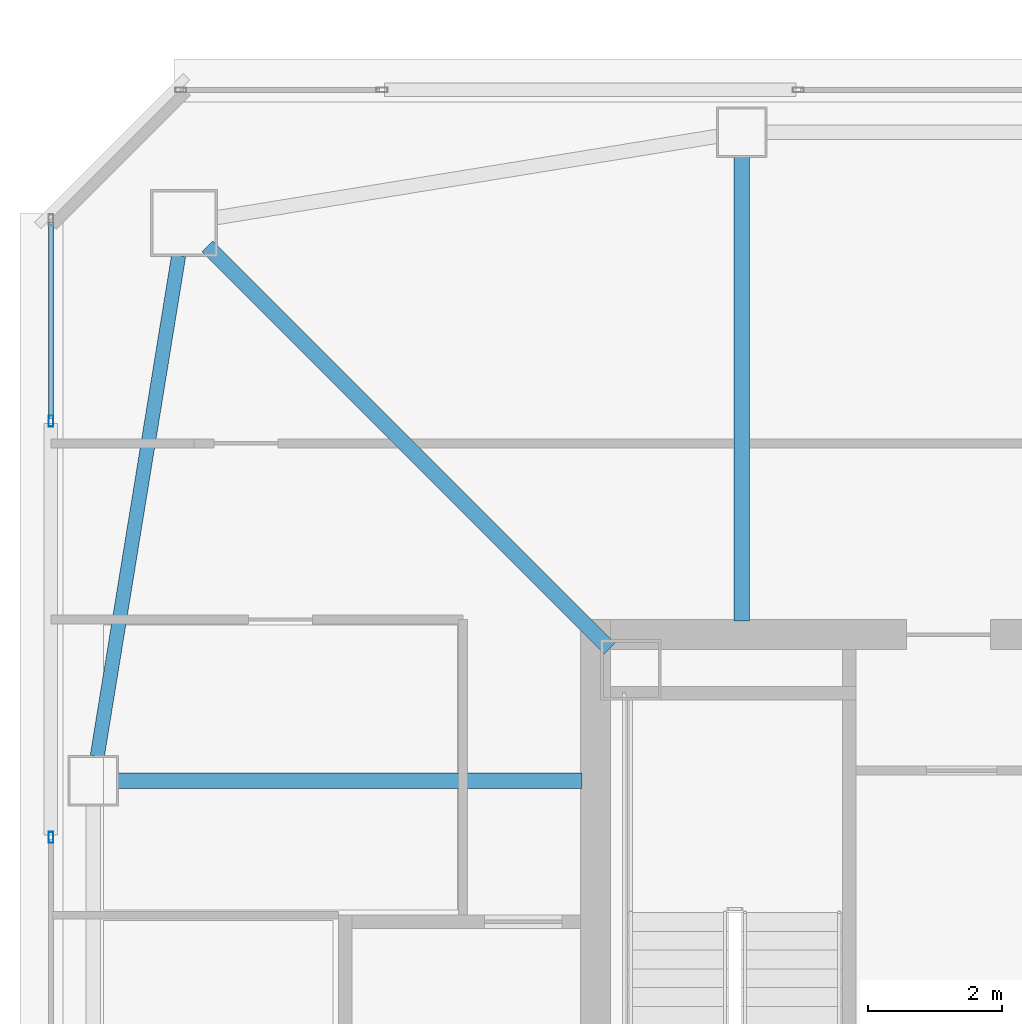
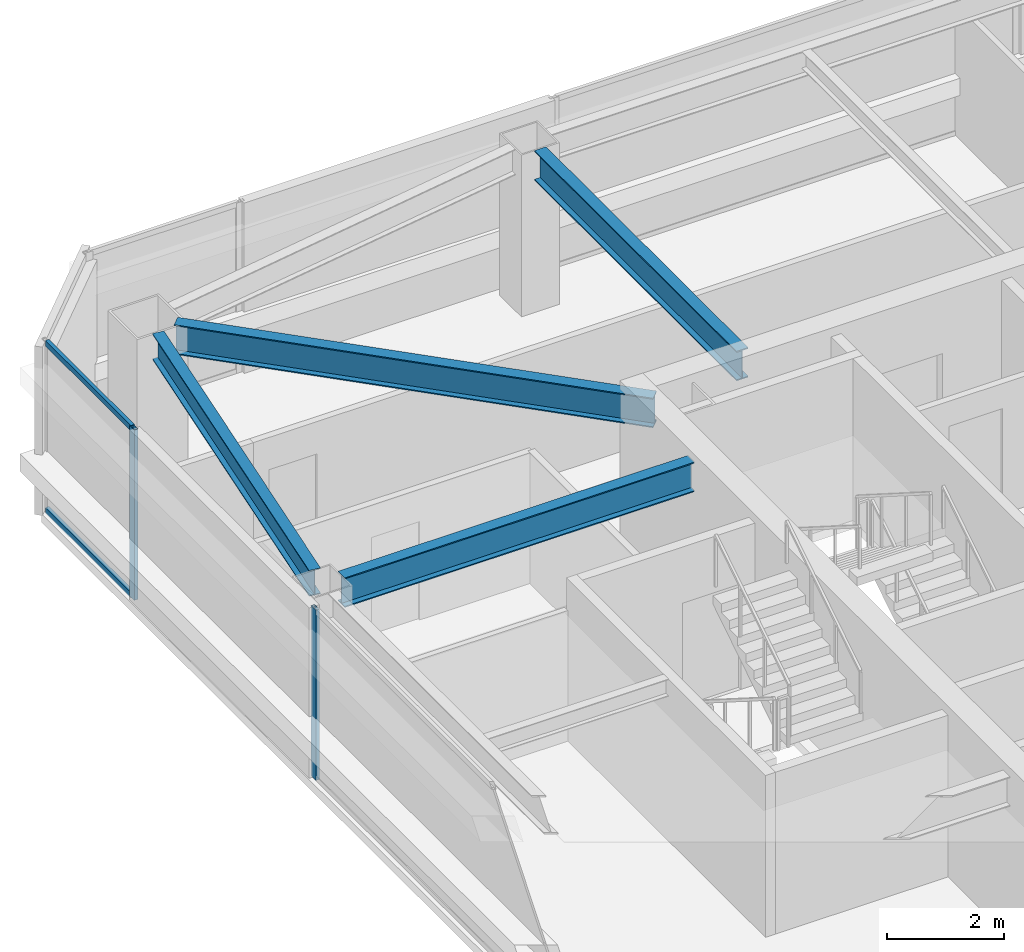
# One storey, part 9 of 36: 4 beams, 4 members, 2 elements without a shape of their own.
"""IFC4 building model written with IfcOpenShell, lengths in metres."""

import ifcopenshell
import ifcopenshell.guid

model = None  # the IFC model being written
_history = None  # IfcOwnerHistory: only IFC2X3 demands one
_inside = {}  # id of a spatial element -> (the spatial element, [elements in it])
_under = {}  # id of a project, library or spatial element -> (it, [spatial elements below it])
_declared = {}  # id of a project -> (the project, [libraries it declares])
_typed = {}  # id of a type object -> (the type object, [elements of that type])
_made_of = {}  # id of a material, layer set ... -> (it, [elements and type objects made of it])


def new_model(schema):
    """Start an empty IFC model of exactly this schema.

    Asked for "IFC4X3", IfcOpenShell would pick the latest addendum, in which some entities
    have other attributes; the version numbers below select the first issue.
    IFC2X3 requires an IfcOwnerHistory on every rooted entity: one is made here for all.
    """
    global model, _history
    if schema == "IFC4X3":
        model = ifcopenshell.file(schema_version=(4, 3, 0, 0))
    else:
        model = ifcopenshell.file(schema=schema)
    _inside.clear()
    _under.clear()
    _declared.clear()
    _typed.clear()
    _made_of.clear()
    _history = None
    if model.schema == "IFC2X3":
        org = make("IfcOrganization", Name="unknown")
        user = make(
            "IfcPersonAndOrganization",
            ThePerson=make("IfcPerson", FamilyName="unknown"),
            TheOrganization=org,
        )
        app = make(
            "IfcApplication",
            ApplicationDeveloper=org,
            Version="unknown",
            ApplicationFullName="unknown",
            ApplicationIdentifier="unknown",
        )
        _history = make(
            "IfcOwnerHistory",
            OwningUser=user,
            OwningApplication=app,
            ChangeAction="ADDED",
            CreationDate=0,
        )
    return model


def make(cls, **values):
    """One entity of the class cls with the attributes given. An attribute that is None is left unset."""
    return model.create_entity(
        cls, **{name: value for name, value in values.items() if value is not None}
    )


def rooted(cls, **values):
    """An entity with a GlobalId (a new one), such as an element, a storey or a relation."""
    return make(cls, GlobalId=ifcopenshell.guid.new(), OwnerHistory=_history, **values)


def si_unit(unit_type, name, prefix=None):
    """IfcSIUnit, for example si_unit("LENGTHUNIT", "METRE", prefix="MILLI")."""
    return make("IfcSIUnit", UnitType=unit_type, Prefix=prefix, Name=name)


def assignment(units):
    """IfcUnitAssignment: the units of a project."""
    return None if units is None else make("IfcUnitAssignment", Units=units)


def point(xyz):
    """IfcCartesianPoint."""
    return None if xyz is None else make("IfcCartesianPoint", Coordinates=xyz)


def direction(xyz):
    """IfcDirection."""
    return None if xyz is None else make("IfcDirection", DirectionRatios=xyz)


def frame(location, z_axis=None, x_axis=None):
    """IfcAxis2Placement3D, a coordinate frame: its origin and axes. An axis left out is left unset."""
    return make(
        "IfcAxis2Placement3D",
        Location=point(location),
        Axis=direction(z_axis),
        RefDirection=direction(x_axis),
    )


def frame_2d(location, x_axis=None):
    """IfcAxis2Placement2D, a coordinate frame in the plane: its origin and x axis."""
    return make(
        "IfcAxis2Placement2D", Location=point(location), RefDirection=direction(x_axis)
    )


def origin():
    """The frame at (0, 0, 0) with its axes left unset."""
    return frame((0.0, 0.0, 0.0))


def origin_2d():
    """The frame at (0, 0) in the plane with its x axis left unset."""
    return frame_2d((0.0, 0.0))


def place(relative_to, where):
    """IfcLocalPlacement: puts the frame where relative to a parent placement (None: the world)."""
    return make(
        "IfcLocalPlacement", PlacementRelTo=relative_to, RelativePlacement=where
    )


def context(
    kind, dimensions, precision=None, world=None, true_north=None, identifier=None
):
    """IfcGeometricRepresentationContext, for example the 3D "Model" context."""
    return make(
        "IfcGeometricRepresentationContext",
        ContextIdentifier=identifier,
        ContextType=kind,
        CoordinateSpaceDimension=dimensions,
        Precision=precision,
        WorldCoordinateSystem=world,
        TrueNorth=true_north,
    )


def subcontext(parent, identifier, kind, view, scale=None):
    """IfcGeometricRepresentationSubContext, for example "Body" below "Model"."""
    return make(
        "IfcGeometricRepresentationSubContext",
        ContextIdentifier=identifier,
        ContextType=kind,
        ParentContext=parent,
        TargetScale=scale,
        TargetView=view,
    )


def project(units=None, contexts=None):
    """IfcProject with its units and contexts."""
    return rooted(
        "IfcProject",
        Name="project",
        RepresentationContexts=contexts,
        UnitsInContext=assignment(units),
    )


def spatial(cls, under=None, at=None, **own):
    """A site, building, storey or space (cls), placed at a placement, below another one or the project."""
    s = rooted(cls, ObjectPlacement=at, **own)
    if under is not None:
        _under.setdefault(under.id(), (under, []))[1].append(s)
    return s


def profile(cls, at=None, kind="AREA", **sizes):
    """A parametric profile (cls). Its sizes go by their IFC names, for example OverallWidth=200.0."""
    return make(cls, ProfileType=kind, Position=at, **sizes)


def hollow_rectangle(**sizes):
    """IfcRectangleHollowProfileDef."""
    return profile("IfcRectangleHollowProfileDef", **sizes)


def i_section(**sizes):
    """IfcIShapeProfileDef."""
    return profile("IfcIShapeProfileDef", **sizes)


def extrude(swept, where, along, depth):
    """IfcExtrudedAreaSolid: the profile swept, set in the frame where, extruded along a direction by depth."""
    return make(
        "IfcExtrudedAreaSolid",
        SweptArea=swept,
        Position=where,
        ExtrudedDirection=direction(along),
        Depth=depth,
    )


def shape(context_of_items, identifier, shape_type, items):
    """IfcShapeRepresentation: the items that make up one representation, for example the "Body"."""
    return make(
        "IfcShapeRepresentation",
        ContextOfItems=context_of_items,
        RepresentationIdentifier=identifier,
        RepresentationType=shape_type,
        Items=items,
    )


def material(Name=None, Category=None):
    """IfcMaterial."""
    return make("IfcMaterial", Name=Name, Category=Category)


def material_profile(
    of_material, cross_section, Name=None, Category=None, Priority=None
):
    """IfcMaterialProfile: a cross section and its material."""
    return make(
        "IfcMaterialProfile",
        Name=Name,
        Material=of_material,
        Profile=cross_section,
        Priority=Priority,
        Category=Category,
    )


def profile_set(profiles, Name=None, composite=None):
    """IfcMaterialProfileSet."""
    return make(
        "IfcMaterialProfileSet",
        Name=Name,
        MaterialProfiles=profiles,
        CompositeProfile=composite,
    )


def made_of(thing, what):
    """Note that an element or type object is made of a material, layer set ...; save() writes the relation."""
    if what is not None:
        _made_of.setdefault(what.id(), (what, []))[1].append(thing)
    return thing


def type_object(cls, material=None, **own):
    """A type object (cls), such as IfcWallType, which elements share."""
    return made_of(rooted(cls, **own), material)


def element(
    cls,
    number,
    at=None,
    inside=None,
    cuts=None,
    type_object=None,
    material=None,
    context=None,
    identifier="Body",
    shape_type=None,
    held_by="IfcProductDefinitionShape",
    body=None,
    shapes=None,
    **own,
):
    """One element of the class cls, such as IfcWall. Its Tag is "e" and its number.

    at: its placement. inside: the storey or other place that contains it. cuts: it is an
    opening in that element (IfcRelVoidsElement). A single representation is given by context,
    identifier, shape_type and body (its items); several are given by shapes. held_by: the class
    of the entity that holds the representations. save() writes the other relations.
    """
    e = rooted(cls, Tag="e%d" % number, ObjectPlacement=at, **own)
    if body is not None:
        shapes = [shape(context, identifier, shape_type, body)]
    if shapes is not None:
        e.Representation = make(held_by, Representations=shapes)
    if inside is not None:
        _inside.setdefault(inside.id(), (inside, []))[1].append(e)
    if cuts is not None:
        rooted(
            "IfcRelVoidsElement", RelatingBuildingElement=cuts, RelatedOpeningElement=e
        )
    if type_object is not None:
        _typed.setdefault(type_object.id(), (type_object, []))[1].append(e)
    return made_of(e, material)


def aggregate(whole, parts):
    """IfcRelAggregates: a whole, such as a stair, and the parts it consists of."""
    return rooted("IfcRelAggregates", RelatingObject=whole, RelatedObjects=parts)


def save(model, path):
    """Write the relations noted so far, then the file.

    IfcRelAggregates (storeys below a building ...), IfcRelContainedInSpatialStructure (elements
    in a storey), IfcRelDefinesByType, IfcRelAssociatesMaterial and IfcRelDeclares: one each for
    every whole, place, type object, material and project.
    """
    for whole, parts in _under.values():
        aggregate(whole, parts)
    for where, things in _inside.values():
        rooted(
            "IfcRelContainedInSpatialStructure",
            RelatedElements=things,
            RelatingStructure=where,
        )
    for kind, things in _typed.values():
        rooted("IfcRelDefinesByType", RelatedObjects=things, RelatingType=kind)
    for what, things in _made_of.values():
        rooted("IfcRelAssociatesMaterial", RelatedObjects=things, RelatingMaterial=what)
    for by, libraries in _declared.values():
        rooted("IfcRelDeclares", RelatingContext=by, RelatedDefinitions=libraries)
    model.write(path)


model = new_model("IFC4")

# Units and contexts
model_context = context("Model", 3, precision=1e-05, world=origin(), true_north=direction((0.0, 1.0)))
body_context = subcontext(model_context, "Body", "Model", "MODEL_VIEW")
ifc_project = project(units=[si_unit("LENGTHUNIT", "METRE"), si_unit("AREAUNIT", "SQUARE_METRE"), si_unit("VOLUMEUNIT", "CUBIC_METRE"), si_unit("PLANEANGLEUNIT", "RADIAN"), si_unit("MASSUNIT", "GRAM", prefix="KILO")], contexts=[model_context])

# Site, building, storey
site_placement = place(None, origin())
site = spatial("IfcSite", under=ifc_project, at=site_placement, CompositionType="ELEMENT")
building_placement = place(site_placement, origin())
building = spatial("IfcBuilding", under=site, at=building_placement, Name="Tashvorn Skyway Center", CompositionType="ELEMENT")
storey_placement = place(building_placement, frame((0.0, 0.0, 236.14990234375)))
storey = spatial("IfcBuildingStorey", under=building, at=storey_placement, Name="L64", CompositionType="ELEMENT", Elevation=236.14990234375)

# Beams
ifc_material_1 = material(Name="Steel ASTM A992 Grade 50", Category="steel")
ifc_material_profile_1 = material_profile(ifc_material_1, i_section(OverallWidth=0.22998046875, OverallDepth=0.616943359375, WebThickness=0.01318359375, FlangeThickness=0.022216796875, at=origin_2d()), Name="W24X94")
ifc_profile_set_1 = profile_set([ifc_material_profile_1], Name="Steel ASTM A992 Grade 50")
beam_type_1 = type_object("IfcBeamType", Name="BM-BEAM-W24X94", PredefinedType="BEAM", material=ifc_profile_set_1)
beam_1_placement = place(storey_placement, frame((28.64990234375, 45.35009765625, 3.0615234375), z_axis=(0.707106781187, -0.707106781187, 0.0), x_axis=(0.707106781187, 0.707106781187, 0.0)))
element("IfcBeam", 1, at=beam_1_placement, inside=storey, type_object=beam_type_1, Name="Tower 1 L64 Primary Floor Girder MC-NW", PredefinedType="BEAM", context=body_context, shape_type="SweptSolid", body=[
    extrude(i_section(OverallWidth=0.22998046875, OverallDepth=0.616943359375, WebThickness=0.01318359375, FlangeThickness=0.022216796875, at=origin_2d()), origin(), (0.0, 0.0, 1.0), 8.464599609375),
])
for number, where, z_axis, x_axis, name in (
    (2, (36.60009765625, 46.679931640625, 3.0615234375), (0.0, -1.0, 0.0), (1.0, 0.0, 0.0), "Tower 1 L64 Primary Floor Girder FC-N2"),
    (3, (27.320068359375, 37.39990234375, 3.0615234375), (1.0, 0.0, 0.0), (0.0, 1.0, 0.0), "Tower 1 L64 Primary Floor Girder FC-W1"),
):
    element("IfcBeam", number, at=place(storey_placement, frame(where, z_axis=z_axis, x_axis=x_axis)), inside=storey, type_object=beam_type_1, Name=name, PredefinedType="BEAM", context=body_context, shape_type="SweptSolid", body=[
        extrude(i_section(OverallWidth=0.22998046875, OverallDepth=0.616943359375, WebThickness=0.01318359375, FlangeThickness=0.022216796875, at=origin_2d()), origin(), (0.0, 0.0, 1.0), 6.89990234375),
    ])
ifc_material_profile_2 = material_profile(ifc_material_1, i_section(OverallWidth=0.2109375, OverallDepth=0.5390625, WebThickness=0.01171875, FlangeThickness=0.018798828125, at=origin_2d()), Name="W21X73")
ifc_profile_set_2 = profile_set([ifc_material_profile_2], Name="Steel ASTM A992 Grade 50")
beam_type_2 = type_object("IfcBeamType", Name="BM-SPANDREL-W21X73", PredefinedType="SPANDREL", material=ifc_profile_set_2)
beam_2_placement = place(storey_placement, frame((28.220458984375, 45.21142578125, 3.1005859375), z_axis=(-0.160514302677, -0.987033514444, 0.0), x_axis=(0.987033514444, -0.160514302677, 0.0)))
element("IfcBeam", 4, at=beam_2_placement, inside=storey, type_object=beam_type_2, Name="Tower 1 L64 Spandrel Beam 10", PredefinedType="SPANDREL", context=body_context, shape_type="SweptSolid", body=[
    extrude(i_section(OverallWidth=0.2109375, OverallDepth=0.5390625, WebThickness=0.01171875, FlangeThickness=0.018798828125, at=origin_2d()), origin(), (0.0, 0.0, 1.0), 7.544189453125),
])

# Curtain wall, member
ifc_material_2 = material(Name="Thermally broken bronze-anodized aluminium 6063-T6", Category="aluminium")
curtain_wall_type = type_object("IfcCurtainWallType", Name="CW-CW-Z5", PredefinedType="NOTDEFINED", material=ifc_material_2)
curtain_wall_1_placement = place(storey_placement, origin())
curtain_wall_1 = element("IfcCurtainWall", 5, at=curtain_wall_1_placement, inside=storey, type_object=curtain_wall_type, Name="Tower 1 L64 West Unitised Curtain Wall Glazing Group 2", PredefinedType="NOTDEFINED")
ifc_material_profile_3 = material_profile(ifc_material_2, hollow_rectangle(XDim=0.070068359375, YDim=0.1650390625, WallThickness=0.00390625, at=origin_2d()), Name="ALU-MULL-70x165")
ifc_profile_set_3 = profile_set([ifc_material_profile_3], Name="Thermally broken bronze-anodized aluminium 6063-T6")
member_type_1 = type_object("IfcMemberType", Name="CWM-CW-Z5", PredefinedType="MULLION", material=ifc_profile_set_3)
member_1_placement = place(storey_placement, frame((26.320068359375, 36.558349609375, 0.0), z_axis=(0.0, 0.0, 1.0), x_axis=(-1.0, 0.0, 0.0)))
member_1 = element("IfcMember", 6, at=member_1_placement, type_object=member_type_1, Name="CW-Z5 mullion 2", PredefinedType="MULLION", context=body_context, shape_type="SweptSolid", body=[
    extrude(hollow_rectangle(XDim=0.070068359375, YDim=0.1650390625, WallThickness=0.00390625, at=origin_2d()), origin(), (0.0, 0.0, 1.0), 3.550048828125),
])
aggregate(curtain_wall_1, [member_1])

# Curtain wall, members
curtain_wall_2_placement = place(storey_placement, origin())
curtain_wall_2 = element("IfcCurtainWall", 7, at=curtain_wall_2_placement, inside=storey, type_object=curtain_wall_type, Name="Tower 1 L64 West Unitised Curtain Wall Glazing Group 3", PredefinedType="NOTDEFINED")
member_2_placement = place(storey_placement, frame((26.320068359375, 42.752685546875, 0.0), z_axis=(0.0, 0.0, 1.0), x_axis=(-1.0, 0.0, 0.0)))
member_2 = element("IfcMember", 8, at=member_2_placement, type_object=member_type_1, Name="CW-Z5 mullion 1", PredefinedType="MULLION", context=body_context, shape_type="SweptSolid", body=[
    extrude(hollow_rectangle(XDim=0.070068359375, YDim=0.1650390625, WallThickness=0.00390625, at=origin_2d()), origin(), (0.0, 0.0, 1.0), 3.550048828125),
])
ifc_material_profile_4 = material_profile(ifc_material_2, hollow_rectangle(XDim=0.070068359375, YDim=0.114990234375, WallThickness=0.00390625, at=origin_2d()), Name="ALU-TRAN-70x115")
ifc_profile_set_4 = profile_set([ifc_material_profile_4], Name="Thermally broken bronze-anodized aluminium 6063-T6")
member_type_2 = type_object("IfcMemberType", Name="CWT-CW-Z5", PredefinedType="USERDEFINED", material=ifc_profile_set_4)
member_3_placement = place(storey_placement, frame((26.320068359375, 42.787841796875, 0.03515625), z_axis=(0.0, 1.0, 0.0), x_axis=(-1.0, 0.0, 0.0)))
member_3 = element("IfcMember", 9, at=member_3_placement, type_object=member_type_2, Name="CW-Z5 transom 1.1", ObjectType="TRANSOM", PredefinedType="USERDEFINED", context=body_context, shape_type="SweptSolid", body=[
    extrude(hollow_rectangle(XDim=0.070068359375, YDim=0.114990234375, WallThickness=0.00390625, at=origin_2d()), origin(), (0.0, 0.0, 1.0), 2.922119140625),
])
member_4_placement = place(storey_placement, frame((26.320068359375, 42.787841796875, 3.51513671875), z_axis=(0.0, 1.0, 0.0), x_axis=(-1.0, 0.0, 0.0)))
member_4 = element("IfcMember", 10, at=member_4_placement, type_object=member_type_2, Name="CW-Z5 transom 1.2", ObjectType="TRANSOM", PredefinedType="USERDEFINED", context=body_context, shape_type="SweptSolid", body=[
    extrude(hollow_rectangle(XDim=0.070068359375, YDim=0.114990234375, WallThickness=0.00390625, at=origin_2d()), origin(), (0.0, 0.0, 1.0), 2.922119140625),
])
aggregate(curtain_wall_2, [member_2, member_3, member_4])

save(model, "model.ifc")
